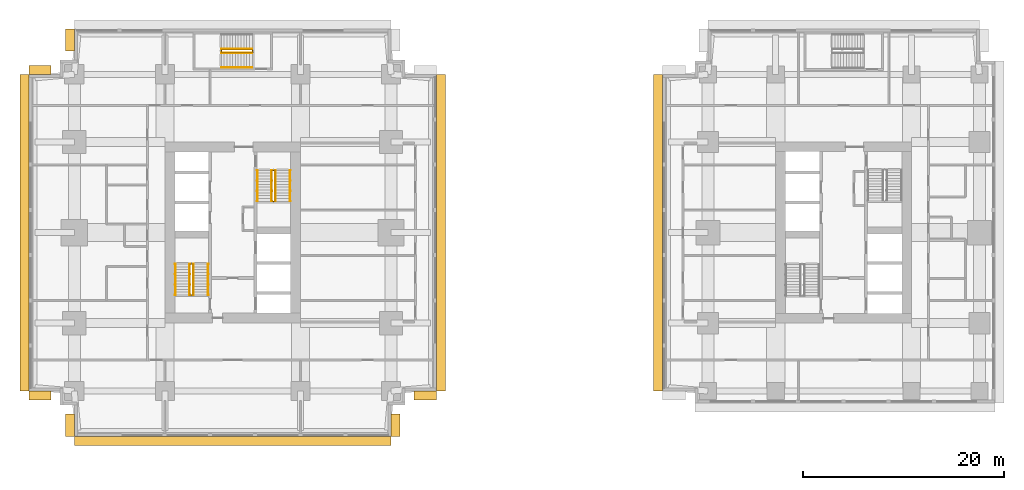
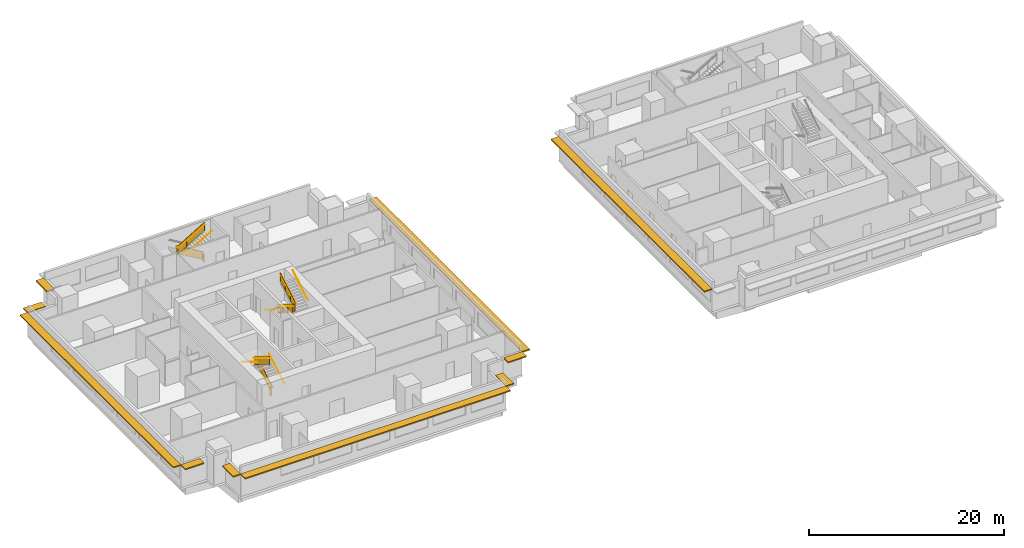
# One storey, part 9 of 11: 14 railings, 10 shading devices.
"""IFC4 building model written with IfcOpenShell, lengths in metres."""

from ifc_helpers import new_model, si_unit, direction, frame, origin, origin_2d, place, context, subcontext, project, spatial, polyline, rectangle, circle, outline, extrude, material, layer, layer_set, type_object, element, save


model = new_model("IFC4")

# Units and contexts
model_context = context("Model", 3, precision=1e-05, world=origin(), true_north=direction((0.0, 1.0)))
body_context = subcontext(model_context, "Body", "Model", "MODEL_VIEW")
ifc_project = project(units=[si_unit("LENGTHUNIT", "METRE"), si_unit("AREAUNIT", "SQUARE_METRE"), si_unit("VOLUMEUNIT", "CUBIC_METRE"), si_unit("PLANEANGLEUNIT", "RADIAN"), si_unit("MASSUNIT", "GRAM", prefix="KILO")], contexts=[model_context])

# Site, building, storey
site_placement = place(None, origin())
site = spatial("IfcSite", under=ifc_project, at=site_placement, CompositionType="ELEMENT")
building_placement = place(site_placement, origin())
building = spatial("IfcBuilding", under=site, at=building_placement, Name="Namib Vertical Campus", CompositionType="ELEMENT")
storey_placement = place(building_placement, frame((0.0, 0.0, 89.0)))
storey = spatial("IfcBuildingStorey", under=building, at=storey_placement, Name="L20", CompositionType="ELEMENT", Elevation=89.0)

# Railings
ifc_material_1 = material(Name="Steel handrail", Category="steel")
railing_type_1 = type_object("IfcRailingType", Name="Handrail 900", PredefinedType="HANDRAIL", material=ifc_material_1)
railing_1_placement = place(storey_placement, frame((17.800048828125, 14.050048828125, 0.166748046875)))
element("IfcRailing", 1, at=railing_1_placement, inside=storey, type_object=railing_type_1, Name="Handrail HR1 A-S1 L20 1", PredefinedType="HANDRAIL", context=body_context, shape_type="SweptSolid", body=[
    extrude(circle(Radius=0.02392578125, at=origin_2d()), frame((0.0, 0.0, 0.8759765625), z_axis=(0.0, 0.859290745958, 0.51148745235), x_axis=(-1.0, 0.0, 0.0)), (0.0, 0.0, 1.0), 3.584228515625),
    extrude(circle(Radius=0.008056640625, at=origin_2d()), frame((0.0, 0.0, 0.8759765625), z_axis=(1.0, 0.0, 0.0), x_axis=(0.0, 0.0, 1.0)), (0.0, 0.0, 1.0), 0.050048828125),
    extrude(circle(Radius=0.008056640625, at=origin_2d()), frame((0.0, 1.026611328125, 1.48681640625), z_axis=(1.0, 0.0, 0.0), x_axis=(0.0, 0.0, 1.0)), (0.0, 0.0, 1.0), 0.050048828125),
    extrude(circle(Radius=0.008056640625, at=origin_2d()), frame((0.0, 2.05322265625, 2.09814453125), z_axis=(1.0, 0.0, 0.0), x_axis=(0.0, 0.0, 1.0)), (0.0, 0.0, 1.0), 0.050048828125),
    extrude(circle(Radius=0.008056640625, at=origin_2d()), frame((0.0, 3.079833984375, 2.708984375), z_axis=(1.0, 0.0, 0.0), x_axis=(0.0, 0.0, 1.0)), (0.0, 0.0, 1.0), 0.050048828125),
])
railing_2_placement = place(storey_placement, frame((14.550048828125, 17.1298828125, 2.166748046875)))
element("IfcRailing", 2, at=railing_2_placement, inside=storey, type_object=railing_type_1, Name="Handrail HR1 A-S1 L20 2", PredefinedType="HANDRAIL", context=body_context, shape_type="SweptSolid", body=[
    extrude(circle(Radius=0.02392578125, at=origin_2d()), frame((0.0, 0.0, 0.8759765625), z_axis=(0.0, -0.859290745958, 0.51148745235), x_axis=(1.0, 0.0, 0.0)), (0.0, 0.0, 1.0), 3.584228515625),
    extrude(circle(Radius=0.008056640625, at=origin_2d()), frame((0.0, 0.0, 0.8759765625), z_axis=(-1.0, 0.0, 0.0), x_axis=(0.0, 0.0, 1.0)), (0.0, 0.0, 1.0), 0.050048828125),
    extrude(circle(Radius=0.008056640625, at=origin_2d()), frame((0.0, -1.026611328125, 1.48681640625), z_axis=(-1.0, 0.0, 0.0), x_axis=(0.0, 0.0, 1.0)), (0.0, 0.0, 1.0), 0.050048828125),
    extrude(circle(Radius=0.008056640625, at=origin_2d()), frame((0.0, -2.05322265625, 2.09814453125), z_axis=(-1.0, 0.0, 0.0), x_axis=(0.0, 0.0, 1.0)), (0.0, 0.0, 1.0), 0.050048828125),
    extrude(circle(Radius=0.008056640625, at=origin_2d()), frame((0.0, -3.079833984375, 2.708984375), z_axis=(-1.0, 0.0, 0.0), x_axis=(0.0, 0.0, 1.0)), (0.0, 0.0, 1.0), 0.050048828125),
])
railing_3_placement = place(storey_placement, frame((16.375, 14.050048828125, 0.166748046875)))
element("IfcRailing", 3, at=railing_3_placement, inside=storey, type_object=railing_type_1, Name="Handrail HR1 A-S1 L20 1 at the well", PredefinedType="HANDRAIL", context=body_context, shape_type="SweptSolid", body=[
    extrude(circle(Radius=0.02392578125, at=origin_2d()), frame((0.0, 0.0, 0.8759765625), z_axis=(0.0, 0.859290745958, 0.51148745235), x_axis=(-1.0, 0.0, 0.0)), (0.0, 0.0, 1.0), 3.584228515625),
    extrude(circle(Radius=0.008056640625, at=origin_2d()), frame((0.0, 0.0, 0.8759765625), z_axis=(-1.0, 0.0, 0.0), x_axis=(0.0, 0.0, 1.0)), (0.0, 0.0, 1.0), 0.0400390625),
    extrude(circle(Radius=0.008056640625, at=origin_2d()), frame((0.0, 1.026611328125, 1.48681640625), z_axis=(-1.0, 0.0, 0.0), x_axis=(0.0, 0.0, 1.0)), (0.0, 0.0, 1.0), 0.0400390625),
    extrude(circle(Radius=0.008056640625, at=origin_2d()), frame((0.0, 2.05322265625, 2.09814453125), z_axis=(-1.0, 0.0, 0.0), x_axis=(0.0, 0.0, 1.0)), (0.0, 0.0, 1.0), 0.0400390625),
    extrude(circle(Radius=0.008056640625, at=origin_2d()), frame((0.0, 3.079833984375, 2.708984375), z_axis=(-1.0, 0.0, 0.0), x_axis=(0.0, 0.0, 1.0)), (0.0, 0.0, 1.0), 0.0400390625),
])
railing_4_placement = place(storey_placement, frame((15.97509765625, 17.1298828125, 2.166748046875)))
element("IfcRailing", 4, at=railing_4_placement, inside=storey, type_object=railing_type_1, Name="Handrail HR1 A-S1 L20 2 at the well", PredefinedType="HANDRAIL", context=body_context, shape_type="SweptSolid", body=[
    extrude(circle(Radius=0.02392578125, at=origin_2d()), frame((0.0, 0.0, 0.8759765625), z_axis=(0.0, -0.859290745958, 0.51148745235), x_axis=(1.0, 0.0, 0.0)), (0.0, 0.0, 1.0), 3.584228515625),
    extrude(circle(Radius=0.008056640625, at=origin_2d()), frame((0.0, 0.0, 0.8759765625), z_axis=(1.0, 0.0, 0.0), x_axis=(0.0, 0.0, 1.0)), (0.0, 0.0, 1.0), 0.0400390625),
    extrude(circle(Radius=0.008056640625, at=origin_2d()), frame((0.0, -1.026611328125, 1.48681640625), z_axis=(1.0, 0.0, 0.0), x_axis=(0.0, 0.0, 1.0)), (0.0, 0.0, 1.0), 0.0400390625),
    extrude(circle(Radius=0.008056640625, at=origin_2d()), frame((0.0, -2.05322265625, 2.09814453125), z_axis=(1.0, 0.0, 0.0), x_axis=(0.0, 0.0, 1.0)), (0.0, 0.0, 1.0), 0.0400390625),
    extrude(circle(Radius=0.008056640625, at=origin_2d()), frame((0.0, -3.079833984375, 2.708984375), z_axis=(1.0, 0.0, 0.0), x_axis=(0.0, 0.0, 1.0)), (0.0, 0.0, 1.0), 0.0400390625),
])
railing_5_placement = place(storey_placement, frame((22.699951171875, 26.449951171875, 0.166748046875)))
element("IfcRailing", 5, at=railing_5_placement, inside=storey, type_object=railing_type_1, Name="Handrail HR1 A-S2 L20 1", PredefinedType="HANDRAIL", context=body_context, shape_type="SweptSolid", body=[
    extrude(circle(Radius=0.02392578125, at=origin_2d()), frame((0.0, 0.0, 0.8759765625), z_axis=(0.0, -0.859290745958, 0.51148745235), x_axis=(1.0, 0.0, 0.0)), (0.0, 0.0, 1.0), 3.584228515625),
    extrude(circle(Radius=0.008056640625, at=origin_2d()), frame((0.0, 0.0, 0.8759765625), z_axis=(-1.0, 0.0, 0.0), x_axis=(0.0, 0.0, 1.0)), (0.0, 0.0, 1.0), 0.050048828125),
    extrude(circle(Radius=0.008056640625, at=origin_2d()), frame((0.0, -1.026611328125, 1.48681640625), z_axis=(-1.0, 0.0, 0.0), x_axis=(0.0, 0.0, 1.0)), (0.0, 0.0, 1.0), 0.050048828125),
    extrude(circle(Radius=0.008056640625, at=origin_2d()), frame((0.0, -2.05322265625, 2.09814453125), z_axis=(-1.0, 0.0, 0.0), x_axis=(0.0, 0.0, 1.0)), (0.0, 0.0, 1.0), 0.050048828125),
    extrude(circle(Radius=0.008056640625, at=origin_2d()), frame((0.0, -3.079833984375, 2.708984375), z_axis=(-1.0, 0.0, 0.0), x_axis=(0.0, 0.0, 1.0)), (0.0, 0.0, 1.0), 0.050048828125),
])
railing_6_placement = place(storey_placement, frame((25.949951171875, 23.3701171875, 2.166748046875)))
element("IfcRailing", 6, at=railing_6_placement, inside=storey, type_object=railing_type_1, Name="Handrail HR1 A-S2 L20 2", PredefinedType="HANDRAIL", context=body_context, shape_type="SweptSolid", body=[
    extrude(circle(Radius=0.02392578125, at=origin_2d()), frame((0.0, 0.0, 0.8759765625), z_axis=(0.0, 0.859290745958, 0.51148745235), x_axis=(-1.0, 0.0, 0.0)), (0.0, 0.0, 1.0), 3.584228515625),
    extrude(circle(Radius=0.008056640625, at=origin_2d()), frame((0.0, 0.0, 0.8759765625), z_axis=(1.0, 0.0, 0.0), x_axis=(0.0, 0.0, 1.0)), (0.0, 0.0, 1.0), 0.050048828125),
    extrude(circle(Radius=0.008056640625, at=origin_2d()), frame((0.0, 1.026611328125, 1.48681640625), z_axis=(1.0, 0.0, 0.0), x_axis=(0.0, 0.0, 1.0)), (0.0, 0.0, 1.0), 0.050048828125),
    extrude(circle(Radius=0.008056640625, at=origin_2d()), frame((0.0, 2.05322265625, 2.09814453125), z_axis=(1.0, 0.0, 0.0), x_axis=(0.0, 0.0, 1.0)), (0.0, 0.0, 1.0), 0.050048828125),
    extrude(circle(Radius=0.008056640625, at=origin_2d()), frame((0.0, 3.079833984375, 2.708984375), z_axis=(1.0, 0.0, 0.0), x_axis=(0.0, 0.0, 1.0)), (0.0, 0.0, 1.0), 0.050048828125),
])
railing_7_placement = place(storey_placement, frame((24.125, 26.449951171875, 0.166748046875)))
element("IfcRailing", 7, at=railing_7_placement, inside=storey, type_object=railing_type_1, Name="Handrail HR1 A-S2 L20 1 at the well", PredefinedType="HANDRAIL", context=body_context, shape_type="SweptSolid", body=[
    extrude(circle(Radius=0.02392578125, at=origin_2d()), frame((0.0, 0.0, 0.8759765625), z_axis=(0.0, -0.859290745958, 0.51148745235), x_axis=(1.0, 0.0, 0.0)), (0.0, 0.0, 1.0), 3.584228515625),
    extrude(circle(Radius=0.008056640625, at=origin_2d()), frame((0.0, 0.0, 0.8759765625), z_axis=(1.0, 0.0, 0.0), x_axis=(0.0, 0.0, 1.0)), (0.0, 0.0, 1.0), 0.0400390625),
    extrude(circle(Radius=0.008056640625, at=origin_2d()), frame((0.0, -1.026611328125, 1.48681640625), z_axis=(1.0, 0.0, 0.0), x_axis=(0.0, 0.0, 1.0)), (0.0, 0.0, 1.0), 0.0400390625),
    extrude(circle(Radius=0.008056640625, at=origin_2d()), frame((0.0, -2.05322265625, 2.09814453125), z_axis=(1.0, 0.0, 0.0), x_axis=(0.0, 0.0, 1.0)), (0.0, 0.0, 1.0), 0.0400390625),
    extrude(circle(Radius=0.008056640625, at=origin_2d()), frame((0.0, -3.079833984375, 2.708984375), z_axis=(1.0, 0.0, 0.0), x_axis=(0.0, 0.0, 1.0)), (0.0, 0.0, 1.0), 0.0400390625),
])
railing_8_placement = place(storey_placement, frame((24.52490234375, 23.3701171875, 2.166748046875)))
element("IfcRailing", 8, at=railing_8_placement, inside=storey, type_object=railing_type_1, Name="Handrail HR1 A-S2 L20 2 at the well", PredefinedType="HANDRAIL", context=body_context, shape_type="SweptSolid", body=[
    extrude(circle(Radius=0.02392578125, at=origin_2d()), frame((0.0, 0.0, 0.8759765625), z_axis=(0.0, 0.859290745958, 0.51148745235), x_axis=(-1.0, 0.0, 0.0)), (0.0, 0.0, 1.0), 3.584228515625),
    extrude(circle(Radius=0.008056640625, at=origin_2d()), frame((0.0, 0.0, 0.8759765625), z_axis=(-1.0, 0.0, 0.0), x_axis=(0.0, 0.0, 1.0)), (0.0, 0.0, 1.0), 0.0400390625),
    extrude(circle(Radius=0.008056640625, at=origin_2d()), frame((0.0, 1.026611328125, 1.48681640625), z_axis=(-1.0, 0.0, 0.0), x_axis=(0.0, 0.0, 1.0)), (0.0, 0.0, 1.0), 0.0400390625),
    extrude(circle(Radius=0.008056640625, at=origin_2d()), frame((0.0, 2.05322265625, 2.09814453125), z_axis=(-1.0, 0.0, 0.0), x_axis=(0.0, 0.0, 1.0)), (0.0, 0.0, 1.0), 0.0400390625),
    extrude(circle(Radius=0.008056640625, at=origin_2d()), frame((0.0, 3.079833984375, 2.708984375), z_axis=(-1.0, 0.0, 0.0), x_axis=(0.0, 0.0, 1.0)), (0.0, 0.0, 1.0), 0.0400390625),
])
railing_9_placement = place(storey_placement, frame((19.1201171875, 36.699951171875, 2.166748046875)))
element("IfcRailing", 9, at=railing_9_placement, inside=storey, type_object=railing_type_1, Name="Handrail HR1 A-S3 L20 2", PredefinedType="HANDRAIL", context=body_context, shape_type="SweptSolid", body=[
    extrude(circle(Radius=0.02392578125, at=origin_2d()), frame((0.0, 0.0, 0.8759765625), z_axis=(0.859290745958, 0.0, 0.51148745235), x_axis=(0.0, 1.0, 0.0)), (0.0, 0.0, 1.0), 3.584228515625),
    extrude(circle(Radius=0.008056640625, at=origin_2d()), frame((0.0, 0.0, 0.8759765625), z_axis=(0.0, -1.0, 0.0), x_axis=(0.0, 0.0, 1.0)), (0.0, 0.0, 1.0), 0.050048828125),
    extrude(circle(Radius=0.008056640625, at=origin_2d()), frame((1.026611328125, 0.0, 1.48681640625), z_axis=(0.0, -1.0, 0.0), x_axis=(0.0, 0.0, 1.0)), (0.0, 0.0, 1.0), 0.050048828125),
    extrude(circle(Radius=0.008056640625, at=origin_2d()), frame((2.05322265625, 0.0, 2.09814453125), z_axis=(0.0, -1.0, 0.0), x_axis=(0.0, 0.0, 1.0)), (0.0, 0.0, 1.0), 0.050048828125),
    extrude(circle(Radius=0.008056640625, at=origin_2d()), frame((3.079833984375, 0.0, 2.708984375), z_axis=(0.0, -1.0, 0.0), x_axis=(0.0, 0.0, 1.0)), (0.0, 0.0, 1.0), 0.050048828125),
])
railing_10_placement = place(storey_placement, frame((22.199951171875, 38.52490234375, 0.166748046875)))
element("IfcRailing", 10, at=railing_10_placement, inside=storey, type_object=railing_type_1, Name="Handrail HR1 A-S3 L20 1 at the well", PredefinedType="HANDRAIL", context=body_context, shape_type="SweptSolid", body=[
    extrude(circle(Radius=0.02392578125, at=origin_2d()), frame((0.0, 0.0, 0.8759765625), z_axis=(-0.859290745958, 0.0, 0.51148745235), x_axis=(0.0, -1.0, 0.0)), (0.0, 0.0, 1.0), 3.584228515625),
    extrude(circle(Radius=0.008056640625, at=origin_2d()), frame((0.0, 0.0, 0.8759765625), z_axis=(0.0, -1.0, 0.0), x_axis=(0.0, 0.0, 1.0)), (0.0, 0.0, 1.0), 0.0400390625),
    extrude(circle(Radius=0.008056640625, at=origin_2d()), frame((-1.026611328125, 0.0, 1.48681640625), z_axis=(0.0, -1.0, 0.0), x_axis=(0.0, 0.0, 1.0)), (0.0, 0.0, 1.0), 0.0400390625),
    extrude(circle(Radius=0.008056640625, at=origin_2d()), frame((-2.05322265625, 0.0, 2.09814453125), z_axis=(0.0, -1.0, 0.0), x_axis=(0.0, 0.0, 1.0)), (0.0, 0.0, 1.0), 0.0400390625),
    extrude(circle(Radius=0.008056640625, at=origin_2d()), frame((-3.079833984375, 0.0, 2.708984375), z_axis=(0.0, -1.0, 0.0), x_axis=(0.0, 0.0, 1.0)), (0.0, 0.0, 1.0), 0.0400390625),
])
railing_11_placement = place(storey_placement, frame((19.1201171875, 38.125, 2.166748046875)))
element("IfcRailing", 11, at=railing_11_placement, inside=storey, type_object=railing_type_1, Name="Handrail HR1 A-S3 L20 2 at the well", PredefinedType="HANDRAIL", context=body_context, shape_type="SweptSolid", body=[
    extrude(circle(Radius=0.02392578125, at=origin_2d()), frame((0.0, 0.0, 0.8759765625), z_axis=(0.859290745958, 0.0, 0.51148745235), x_axis=(0.0, 1.0, 0.0)), (0.0, 0.0, 1.0), 3.584228515625),
    extrude(circle(Radius=0.008056640625, at=origin_2d()), frame((0.0, 0.0, 0.8759765625), z_axis=(0.0, 1.0, 0.0), x_axis=(0.0, 0.0, 1.0)), (0.0, 0.0, 1.0), 0.0400390625),
    extrude(circle(Radius=0.008056640625, at=origin_2d()), frame((1.026611328125, 0.0, 1.48681640625), z_axis=(0.0, 1.0, 0.0), x_axis=(0.0, 0.0, 1.0)), (0.0, 0.0, 1.0), 0.0400390625),
    extrude(circle(Radius=0.008056640625, at=origin_2d()), frame((2.05322265625, 0.0, 2.09814453125), z_axis=(0.0, 1.0, 0.0), x_axis=(0.0, 0.0, 1.0)), (0.0, 0.0, 1.0), 0.0400390625),
    extrude(circle(Radius=0.008056640625, at=origin_2d()), frame((3.079833984375, 0.0, 2.708984375), z_axis=(0.0, 1.0, 0.0), x_axis=(0.0, 0.0, 1.0)), (0.0, 0.0, 1.0), 0.0400390625),
])
ifc_material_2 = material(Name="Steel balustrade", Category="steel")
railing_type_2 = type_object("IfcRailingType", Name="Stair guard 1100", PredefinedType="GUARDRAIL", material=ifc_material_2)
railing_12_placement = place(storey_placement, frame((16.02490234375, 14.050048828125, 0.0)))
element("IfcRailing", 12, at=railing_12_placement, inside=storey, type_object=railing_type_2, Name="Stair guard GR1 A-S1 L20", PredefinedType="GUARDRAIL", context=body_context, shape_type="SweptSolid", body=[
    extrude(circle(Radius=0.02392578125, at=origin_2d()), frame((0.0, 0.0, 1.076171875), z_axis=(1.0, 0.0, 0.0), x_axis=(0.0, 1.0, 0.0)), (0.0, 0.0, 1.0), 0.300048828125),
    extrude(outline(polyline([(0.02099609375, 0.050048828125), (0.279052734375, 0.050048828125), (0.279052734375, 1.052001953125), (0.02099609375, 1.052001953125), (0.02099609375, 0.050048828125)])), frame((0.0, 0.010009765625, 0.0), z_axis=(0.0, -1.0, 0.0), x_axis=(1.0, 0.0, 0.0)), (0.0, 0.0, 1.0), 0.02001953125),
    extrude(circle(Radius=0.02392578125, at=origin_2d()), frame((0.300048828125, 0.0, 1.076171875), z_axis=(0.0, 0.0, 1.0), x_axis=(1.0, 0.0, 0.0)), (0.0, 0.0, 1.0), 0.166748046875),
    extrude(circle(Radius=0.02392578125, at=origin_2d()), frame((0.300048828125, 0.0, 1.24267578125), z_axis=(0.0, 0.859290745958, 0.51148745235), x_axis=(-1.0, 0.0, 0.0)), (0.0, 0.0, 1.0), 3.584228515625),
    extrude(outline(polyline([(0.02099609375, 0.0625), (3.058837890625, 1.870849609375), (3.058837890625, 2.872802734375), (0.02099609375, 1.064453125), (0.02099609375, 0.0625)])), frame((0.2900390625, 0.0, 0.166748046875), z_axis=(1.0, 0.0, 0.0), x_axis=(0.0, 1.0, 0.0)), (0.0, 0.0, 1.0), 0.02001953125),
    extrude(circle(Radius=0.02392578125, at=origin_2d()), frame((0.300048828125, 3.079833984375, 3.076171875), z_axis=(-1.0, 0.0, 0.0), x_axis=(0.0, -1.0, 0.0)), (0.0, 0.0, 1.0), 0.300048828125),
    extrude(outline(polyline([(0.02099609375, 0.050048828125), (0.279052734375, 0.050048828125), (0.279052734375, 1.052001953125), (0.02099609375, 1.052001953125), (0.02099609375, 0.050048828125)])), frame((0.300048828125, 3.06982421875, 2.0), z_axis=(0.0, 1.0, 0.0), x_axis=(-1.0, 0.0, 0.0)), (0.0, 0.0, 1.0), 0.02001953125),
    extrude(circle(Radius=0.02392578125, at=origin_2d()), frame((0.0, 3.079833984375, 3.076171875), z_axis=(0.0, 0.0, 1.0), x_axis=(1.0, 0.0, 0.0)), (0.0, 0.0, 1.0), 0.166748046875),
    extrude(circle(Radius=0.02392578125, at=origin_2d()), frame((0.0, 3.079833984375, 3.24267578125), z_axis=(0.0, -0.859290745958, 0.51148745235), x_axis=(1.0, 0.0, 0.0)), (0.0, 0.0, 1.0), 3.584228515625),
    extrude(outline(polyline([(0.02099609375, 0.0625), (3.058837890625, 1.870849609375), (3.058837890625, 2.872802734375), (0.02099609375, 1.064453125), (0.02099609375, 0.0625)])), frame((0.010009765625, 3.079833984375, 2.166748046875), z_axis=(-1.0, 0.0, 0.0), x_axis=(0.0, -1.0, 0.0)), (0.0, 0.0, 1.0), 0.02001953125),
    extrude(circle(Radius=0.02392578125, at=origin_2d()), frame((0.0, 0.0, 5.076171875), z_axis=(0.0, -1.0, 0.0), x_axis=(1.0, 0.0, 0.0)), (0.0, 0.0, 1.0), 0.050048828125),
    extrude(outline(polyline([(0.02099609375, 0.050048828125), (0.029052734375, 0.050048828125), (0.029052734375, 1.052001953125), (0.02099609375, 1.052001953125), (0.02099609375, 0.050048828125)])), frame((0.010009765625, 0.0, 4.0), z_axis=(-1.0, 0.0, 0.0), x_axis=(0.0, -1.0, 0.0)), (0.0, 0.0, 1.0), 0.02001953125),
    extrude(circle(Radius=0.02099609375, at=origin_2d()), origin(), (0.0, 0.0, 1.0), 1.052001953125),
    extrude(circle(Radius=0.02099609375, at=origin_2d()), frame((0.300048828125, 0.0, 0.166748046875)), (0.0, 0.0, 1.0), 1.052001953125),
    extrude(circle(Radius=0.02099609375, at=origin_2d()), frame((0.300048828125, 1.026611328125, 0.666748046875)), (0.0, 0.0, 1.0), 1.1630859375),
    extrude(circle(Radius=0.02099609375, at=origin_2d()), frame((0.300048828125, 2.05322265625, 1.33349609375)), (0.0, 0.0, 1.0), 1.107421875),
    extrude(circle(Radius=0.02099609375, at=origin_2d()), frame((0.300048828125, 3.079833984375, 2.0)), (0.0, 0.0, 1.0), 1.052001953125),
    extrude(circle(Radius=0.02099609375, at=origin_2d()), frame((0.0, 3.079833984375, 2.166748046875)), (0.0, 0.0, 1.0), 1.052001953125),
    extrude(circle(Radius=0.02099609375, at=origin_2d()), frame((0.0, 2.05322265625, 2.666748046875)), (0.0, 0.0, 1.0), 1.1630859375),
    extrude(circle(Radius=0.02099609375, at=origin_2d()), frame((0.0, 1.026611328125, 3.33349609375)), (0.0, 0.0, 1.0), 1.107421875),
    extrude(circle(Radius=0.02099609375, at=origin_2d()), frame((0.0, 0.0, 4.0)), (0.0, 0.0, 1.0), 1.052001953125),
    extrude(circle(Radius=0.02099609375, at=origin_2d()), frame((0.0, -0.050048828125, 4.0)), (0.0, 0.0, 1.0), 1.052001953125),
])
railing_13_placement = place(storey_placement, frame((24.47509765625, 26.449951171875, 0.0)))
element("IfcRailing", 13, at=railing_13_placement, inside=storey, type_object=railing_type_2, Name="Stair guard GR1 A-S2 L20", PredefinedType="GUARDRAIL", context=body_context, shape_type="SweptSolid", body=[
    extrude(circle(Radius=0.02392578125, at=origin_2d()), frame((0.0, 0.0, 1.076171875), z_axis=(-1.0, 0.0, 0.0), x_axis=(0.0, -1.0, 0.0)), (0.0, 0.0, 1.0), 0.300048828125),
    extrude(outline(polyline([(0.02099609375, 0.050048828125), (0.279052734375, 0.050048828125), (0.279052734375, 1.052001953125), (0.02099609375, 1.052001953125), (0.02099609375, 0.050048828125)])), frame((0.0, -0.010009765625, 0.0), z_axis=(0.0, 1.0, 0.0), x_axis=(-1.0, 0.0, 0.0)), (0.0, 0.0, 1.0), 0.02001953125),
    extrude(circle(Radius=0.02392578125, at=origin_2d()), frame((-0.300048828125, 0.0, 1.076171875), z_axis=(0.0, 0.0, 1.0), x_axis=(1.0, 0.0, 0.0)), (0.0, 0.0, 1.0), 0.166748046875),
    extrude(circle(Radius=0.02392578125, at=origin_2d()), frame((-0.300048828125, 0.0, 1.24267578125), z_axis=(0.0, -0.859290745958, 0.51148745235), x_axis=(1.0, 0.0, 0.0)), (0.0, 0.0, 1.0), 3.584228515625),
    extrude(outline(polyline([(0.02099609375, 0.0625), (3.058837890625, 1.870849609375), (3.058837890625, 2.872802734375), (0.02099609375, 1.064453125), (0.02099609375, 0.0625)])), frame((-0.2900390625, 0.0, 0.166748046875), z_axis=(-1.0, 0.0, 0.0), x_axis=(0.0, -1.0, 0.0)), (0.0, 0.0, 1.0), 0.02001953125),
    extrude(circle(Radius=0.02392578125, at=origin_2d()), frame((-0.300048828125, -3.079833984375, 3.076171875), z_axis=(1.0, 0.0, 0.0), x_axis=(0.0, 1.0, 0.0)), (0.0, 0.0, 1.0), 0.300048828125),
    extrude(outline(polyline([(0.02099609375, 0.050048828125), (0.279052734375, 0.050048828125), (0.279052734375, 1.052001953125), (0.02099609375, 1.052001953125), (0.02099609375, 0.050048828125)])), frame((-0.300048828125, -3.06982421875, 2.0), z_axis=(0.0, -1.0, 0.0), x_axis=(1.0, 0.0, 0.0)), (0.0, 0.0, 1.0), 0.02001953125),
    extrude(circle(Radius=0.02392578125, at=origin_2d()), frame((0.0, -3.079833984375, 3.076171875), z_axis=(0.0, 0.0, 1.0), x_axis=(1.0, 0.0, 0.0)), (0.0, 0.0, 1.0), 0.166748046875),
    extrude(circle(Radius=0.02392578125, at=origin_2d()), frame((0.0, -3.079833984375, 3.24267578125), z_axis=(0.0, 0.859290745958, 0.51148745235), x_axis=(-1.0, 0.0, 0.0)), (0.0, 0.0, 1.0), 3.584228515625),
    extrude(outline(polyline([(0.02099609375, 0.0625), (3.058837890625, 1.870849609375), (3.058837890625, 2.872802734375), (0.02099609375, 1.064453125), (0.02099609375, 0.0625)])), frame((-0.010009765625, -3.079833984375, 2.166748046875), z_axis=(1.0, 0.0, 0.0), x_axis=(0.0, 1.0, 0.0)), (0.0, 0.0, 1.0), 0.02001953125),
    extrude(circle(Radius=0.02392578125, at=origin_2d()), frame((0.0, 0.0, 5.076171875), z_axis=(0.0, 1.0, 0.0), x_axis=(-1.0, 0.0, 0.0)), (0.0, 0.0, 1.0), 0.050048828125),
    extrude(outline(polyline([(0.02099609375, 0.050048828125), (0.029052734375, 0.050048828125), (0.029052734375, 1.052001953125), (0.02099609375, 1.052001953125), (0.02099609375, 0.050048828125)])), frame((-0.010009765625, 0.0, 4.0), z_axis=(1.0, 0.0, 0.0), x_axis=(0.0, 1.0, 0.0)), (0.0, 0.0, 1.0), 0.02001953125),
    extrude(circle(Radius=0.02099609375, at=origin_2d()), origin(), (0.0, 0.0, 1.0), 1.052001953125),
    extrude(circle(Radius=0.02099609375, at=origin_2d()), frame((-0.300048828125, 0.0, 0.166748046875)), (0.0, 0.0, 1.0), 1.052001953125),
    extrude(circle(Radius=0.02099609375, at=origin_2d()), frame((-0.300048828125, -1.026611328125, 0.666748046875)), (0.0, 0.0, 1.0), 1.1630859375),
    extrude(circle(Radius=0.02099609375, at=origin_2d()), frame((-0.300048828125, -2.05322265625, 1.33349609375)), (0.0, 0.0, 1.0), 1.107421875),
    extrude(circle(Radius=0.02099609375, at=origin_2d()), frame((-0.300048828125, -3.079833984375, 2.0)), (0.0, 0.0, 1.0), 1.052001953125),
    extrude(circle(Radius=0.02099609375, at=origin_2d()), frame((0.0, -3.079833984375, 2.166748046875)), (0.0, 0.0, 1.0), 1.052001953125),
    extrude(circle(Radius=0.02099609375, at=origin_2d()), frame((0.0, -2.05322265625, 2.666748046875)), (0.0, 0.0, 1.0), 1.1630859375),
    extrude(circle(Radius=0.02099609375, at=origin_2d()), frame((0.0, -1.026611328125, 3.33349609375)), (0.0, 0.0, 1.0), 1.107421875),
    extrude(circle(Radius=0.02099609375, at=origin_2d()), frame((0.0, 0.0, 4.0)), (0.0, 0.0, 1.0), 1.052001953125),
    extrude(circle(Radius=0.02099609375, at=origin_2d()), frame((0.0, 0.050048828125, 4.0)), (0.0, 0.0, 1.0), 1.052001953125),
])
railing_14_placement = place(storey_placement, frame((22.199951171875, 38.175048828125, 0.0)))
element("IfcRailing", 14, at=railing_14_placement, inside=storey, type_object=railing_type_2, Name="Stair guard GR1 A-S3 L20", PredefinedType="GUARDRAIL", context=body_context, shape_type="SweptSolid", body=[
    extrude(circle(Radius=0.02392578125, at=origin_2d()), frame((0.0, 0.0, 1.076171875), z_axis=(0.0, 1.0, 0.0), x_axis=(-1.0, 0.0, 0.0)), (0.0, 0.0, 1.0), 0.300048828125),
    extrude(outline(polyline([(0.02099609375, 0.050048828125), (0.279052734375, 0.050048828125), (0.279052734375, 1.052001953125), (0.02099609375, 1.052001953125), (0.02099609375, 0.050048828125)])), frame((-0.010009765625, 0.0, 0.0), z_axis=(1.0, 0.0, 0.0), x_axis=(0.0, 1.0, 0.0)), (0.0, 0.0, 1.0), 0.02001953125),
    extrude(circle(Radius=0.02392578125, at=origin_2d()), frame((0.0, 0.300048828125, 1.076171875), z_axis=(0.0, 0.0, 1.0), x_axis=(1.0, 0.0, 0.0)), (0.0, 0.0, 1.0), 0.166748046875),
    extrude(circle(Radius=0.02392578125, at=origin_2d()), frame((0.0, 0.300048828125, 1.24267578125), z_axis=(-0.859290745958, 0.0, 0.51148745235), x_axis=(0.0, -1.0, 0.0)), (0.0, 0.0, 1.0), 3.584228515625),
    extrude(outline(polyline([(0.02099609375, 0.0625), (3.058837890625, 1.870849609375), (3.058837890625, 2.872802734375), (0.02099609375, 1.064453125), (0.02099609375, 0.0625)])), frame((0.0, 0.2900390625, 0.166748046875), z_axis=(0.0, 1.0, 0.0), x_axis=(-1.0, 0.0, 0.0)), (0.0, 0.0, 1.0), 0.02001953125),
    extrude(circle(Radius=0.02392578125, at=origin_2d()), frame((-3.079833984375, 0.300048828125, 3.076171875), z_axis=(0.0, -1.0, 0.0), x_axis=(1.0, 0.0, 0.0)), (0.0, 0.0, 1.0), 0.300048828125),
    extrude(outline(polyline([(0.02099609375, 0.050048828125), (0.279052734375, 0.050048828125), (0.279052734375, 1.052001953125), (0.02099609375, 1.052001953125), (0.02099609375, 0.050048828125)])), frame((-3.06982421875, 0.300048828125, 2.0), z_axis=(-1.0, 0.0, 0.0), x_axis=(0.0, -1.0, 0.0)), (0.0, 0.0, 1.0), 0.02001953125),
    extrude(circle(Radius=0.02392578125, at=origin_2d()), frame((-3.079833984375, 0.0, 3.076171875), z_axis=(0.0, 0.0, 1.0), x_axis=(1.0, 0.0, 0.0)), (0.0, 0.0, 1.0), 0.166748046875),
    extrude(circle(Radius=0.02392578125, at=origin_2d()), frame((-3.079833984375, 0.0, 3.24267578125), z_axis=(0.859290745958, 0.0, 0.51148745235), x_axis=(0.0, 1.0, 0.0)), (0.0, 0.0, 1.0), 3.584228515625),
    extrude(outline(polyline([(0.02099609375, 0.0625), (3.058837890625, 1.870849609375), (3.058837890625, 2.872802734375), (0.02099609375, 1.064453125), (0.02099609375, 0.0625)])), frame((-3.079833984375, 0.010009765625, 2.166748046875), z_axis=(0.0, -1.0, 0.0), x_axis=(1.0, 0.0, 0.0)), (0.0, 0.0, 1.0), 0.02001953125),
    extrude(circle(Radius=0.02392578125, at=origin_2d()), frame((0.0, 0.0, 5.076171875), z_axis=(1.0, 0.0, 0.0), x_axis=(0.0, 1.0, 0.0)), (0.0, 0.0, 1.0), 0.050048828125),
    extrude(outline(polyline([(0.02099609375, 0.050048828125), (0.029052734375, 0.050048828125), (0.029052734375, 1.052001953125), (0.02099609375, 1.052001953125), (0.02099609375, 0.050048828125)])), frame((0.0, 0.010009765625, 4.0), z_axis=(0.0, -1.0, 0.0), x_axis=(1.0, 0.0, 0.0)), (0.0, 0.0, 1.0), 0.02001953125),
    extrude(circle(Radius=0.02099609375, at=origin_2d()), origin(), (0.0, 0.0, 1.0), 1.052001953125),
    extrude(circle(Radius=0.02099609375, at=origin_2d()), frame((0.0, 0.300048828125, 0.166748046875)), (0.0, 0.0, 1.0), 1.052001953125),
    extrude(circle(Radius=0.02099609375, at=origin_2d()), frame((-1.026611328125, 0.300048828125, 0.666748046875)), (0.0, 0.0, 1.0), 1.1630859375),
    extrude(circle(Radius=0.02099609375, at=origin_2d()), frame((-2.05322265625, 0.300048828125, 1.33349609375)), (0.0, 0.0, 1.0), 1.107421875),
    extrude(circle(Radius=0.02099609375, at=origin_2d()), frame((-3.079833984375, 0.300048828125, 2.0)), (0.0, 0.0, 1.0), 1.052001953125),
    extrude(circle(Radius=0.02099609375, at=origin_2d()), frame((-3.079833984375, 0.0, 2.166748046875)), (0.0, 0.0, 1.0), 1.052001953125),
    extrude(circle(Radius=0.02099609375, at=origin_2d()), frame((-2.05322265625, 0.0, 2.666748046875)), (0.0, 0.0, 1.0), 1.1630859375),
    extrude(circle(Radius=0.02099609375, at=origin_2d()), frame((-1.026611328125, 0.0, 3.33349609375)), (0.0, 0.0, 1.0), 1.107421875),
    extrude(circle(Radius=0.02099609375, at=origin_2d()), frame((0.0, 0.0, 4.0)), (0.0, 0.0, 1.0), 1.052001953125),
    extrude(circle(Radius=0.02099609375, at=origin_2d()), frame((0.050048828125, 0.0, 4.0)), (0.0, 0.0, 1.0), 1.052001953125),
])

# Shading devices
ifc_material_3 = material(Name="Concrete C40/50 precast", Category="concrete")
ifc_layer = layer(ifc_material_3, 0.14990234375)
ifc_layer_set = layer_set([ifc_layer], Name="Concrete C40/50 precast")
shading_device_type = type_object("IfcShadingDeviceType", Name="Sunshade hood 900", PredefinedType="SHUTTER", material=ifc_layer_set)
shading_device_1_placement = place(storey_placement, frame((20.25, -0.449951171875, 2.75), z_axis=(0.0, 0.0, 1.0), x_axis=(1.0, 0.0, 0.0)))
element("IfcShadingDevice", 15, at=shading_device_1_placement, inside=storey, type_object=shading_device_type, Name="Sunshade SH1 L20 1", PredefinedType="SHUTTER", context=body_context, shape_type="SweptSolid", body=[
    extrude(rectangle(XDim=31.5, YDim=0.89990234375, at=origin_2d()), origin(), (0.0, 0.0, 1.0), 0.14990234375),
])
for number, where, z_axis, x_axis, name in (
    (16, (36.449951171875, 1.10009765625, 2.75), (0.0, 0.0, 1.0), (0.0, 1.0, 0.0), "Sunshade SH1 L20 2"),
    (17, (39.39990234375, 4.050048828125, 2.75), (0.0, 0.0, 1.0), (1.0, 0.0, 0.0), "Sunshade SH1 L20 5"),
):
    element("IfcShadingDevice", number, at=place(storey_placement, frame(where, z_axis=z_axis, x_axis=x_axis)), inside=storey, type_object=shading_device_type, Name=name, PredefinedType="SHUTTER", context=body_context, shape_type="SweptSolid", body=[
        extrude(rectangle(XDim=2.199951171875, YDim=0.89990234375, at=origin_2d()), origin(), (0.0, 0.0, 1.0), 0.14990234375),
    ])
shading_device_2_placement = place(storey_placement, frame((40.949951171875, 20.25, 2.75), z_axis=(0.0, 0.0, 1.0), x_axis=(0.0, 1.0, 0.0)))
element("IfcShadingDevice", 18, at=shading_device_2_placement, inside=storey, type_object=shading_device_type, Name="Sunshade SH1 L20 6", PredefinedType="SHUTTER", context=body_context, shape_type="SweptSolid", body=[
    extrude(rectangle(XDim=31.5, YDim=0.89990234375, at=origin_2d()), origin(), (0.0, 0.0, 1.0), 0.14990234375),
])
for number, where, z_axis, x_axis, name in (
    (19, (4.050048828125, 39.39990234375, 2.75), (0.0, 0.0, 1.0), (0.0, -1.0, 0.0), "Sunshade SH1 L20 12"),
    (20, (1.10009765625, 36.449951171875, 2.75), (0.0, 0.0, 1.0), (-1.0, 0.0, 0.0), "Sunshade SH1 L20 15"),
):
    element("IfcShadingDevice", number, at=place(storey_placement, frame(where, z_axis=z_axis, x_axis=x_axis)), inside=storey, type_object=shading_device_type, Name=name, PredefinedType="SHUTTER", context=body_context, shape_type="SweptSolid", body=[
        extrude(rectangle(XDim=2.199951171875, YDim=0.89990234375, at=origin_2d()), origin(), (0.0, 0.0, 1.0), 0.14990234375),
    ])
shading_device_3_placement = place(storey_placement, frame((-0.449951171875, 20.25, 2.75), z_axis=(0.0, 0.0, 1.0), x_axis=(0.0, -1.0, 0.0)))
element("IfcShadingDevice", 21, at=shading_device_3_placement, inside=storey, type_object=shading_device_type, Name="Sunshade SH1 L20 16", PredefinedType="SHUTTER", context=body_context, shape_type="SweptSolid", body=[
    extrude(rectangle(XDim=31.5, YDim=0.89990234375, at=origin_2d()), origin(), (0.0, 0.0, 1.0), 0.14990234375),
])
for number, where, z_axis, x_axis, name in (
    (22, (1.10009765625, 4.050048828125, 2.75), (0.0, 0.0, 1.0), (1.0, 0.0, 0.0), "Sunshade SH1 L20 17"),
    (23, (4.050048828125, 1.10009765625, 2.75), (0.0, 0.0, 1.0), (0.0, -1.0, 0.0), "Sunshade SH1 L20 20"),
):
    element("IfcShadingDevice", number, at=place(storey_placement, frame(where, z_axis=z_axis, x_axis=x_axis)), inside=storey, type_object=shading_device_type, Name=name, PredefinedType="SHUTTER", context=body_context, shape_type="SweptSolid", body=[
        extrude(rectangle(XDim=2.199951171875, YDim=0.89990234375, at=origin_2d()), origin(), (0.0, 0.0, 1.0), 0.14990234375),
    ])
shading_device_4_placement = place(storey_placement, frame((62.550048828125, 20.25, 2.75), z_axis=(0.0, 0.0, 1.0), x_axis=(0.0, -1.0, 0.0)))
element("IfcShadingDevice", 24, at=shading_device_4_placement, inside=storey, type_object=shading_device_type, Name="Sunshade SH1 L20 12", PredefinedType="SHUTTER", context=body_context, shape_type="SweptSolid", body=[
    extrude(rectangle(XDim=31.5, YDim=0.89990234375, at=origin_2d()), origin(), (0.0, 0.0, 1.0), 0.14990234375),
])

save(model, "model.ifc")
